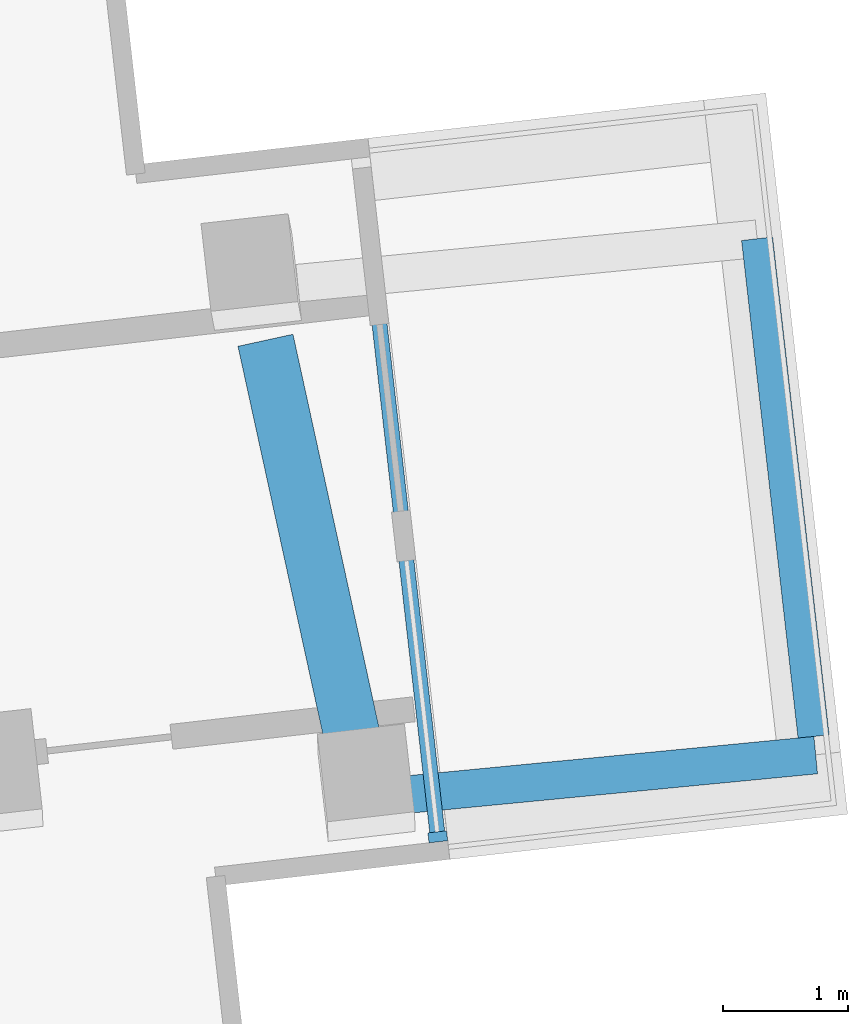
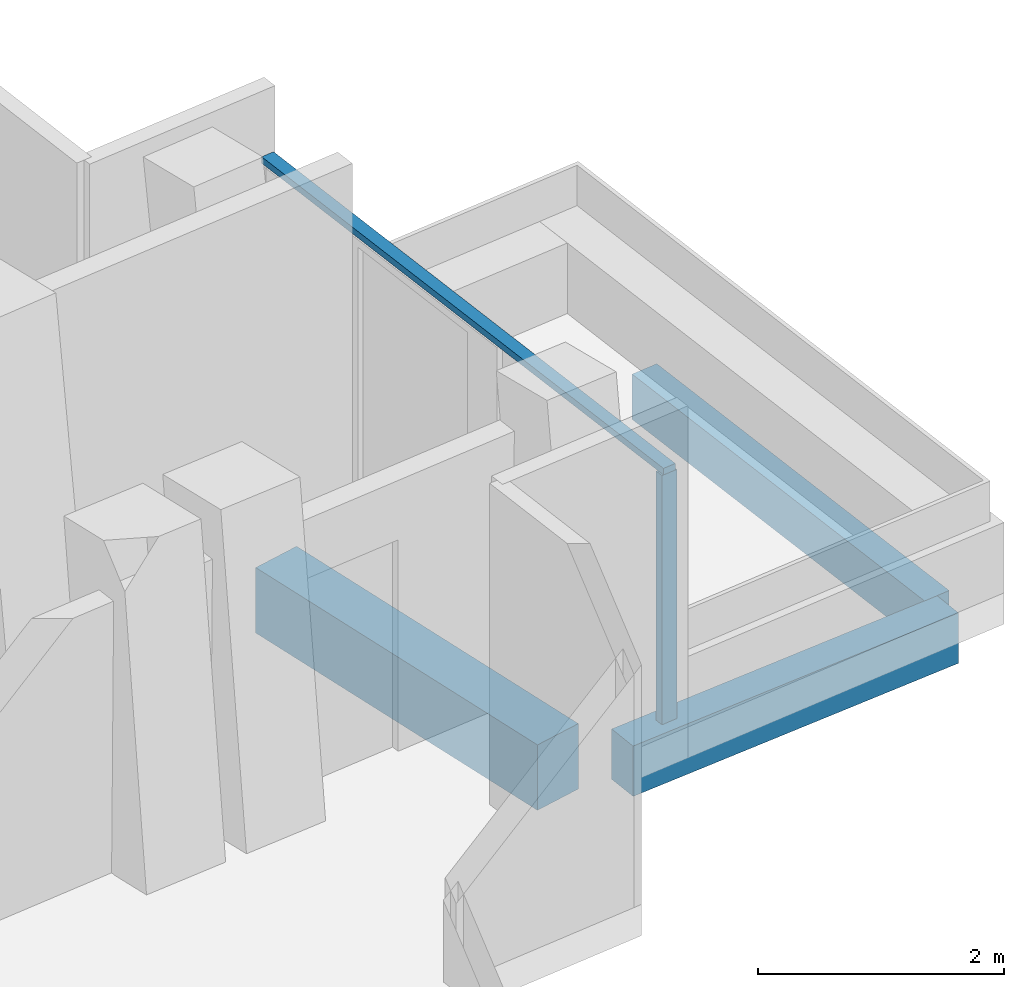
# One storey, part 6 of 23: 3 beams, 2 members, 1 element without a shape of its own.
"""IFC4 building model written with IfcOpenShell, lengths in metres."""

from ifc_helpers import new_model, si_unit, direction, frame, origin, origin_2d, place, context, subcontext, project, spatial, rectangle, extrude, material, layer, layer_set, material_profile, profile_set, type_object, element, aggregate, save


model = new_model("IFC4")

# Units and contexts
model_context = context("Model", 3, precision=1e-05, world=origin(), true_north=direction((0.0, 1.0)))
body_context = subcontext(model_context, "Body", "Model", "MODEL_VIEW")
ifc_project = project(units=[si_unit("LENGTHUNIT", "METRE"), si_unit("AREAUNIT", "SQUARE_METRE"), si_unit("VOLUMEUNIT", "CUBIC_METRE"), si_unit("PLANEANGLEUNIT", "RADIAN"), si_unit("MASSUNIT", "GRAM", prefix="KILO")], contexts=[model_context])

# Site, building, storey
site_placement = place(None, origin())
site = spatial("IfcSite", under=ifc_project, at=site_placement, CompositionType="ELEMENT")
building_placement = place(site_placement, origin())
building = spatial("IfcBuilding", under=site, at=building_placement, Name="Verdalira Terraces Hotel", CompositionType="ELEMENT")
storey_placement = place(building_placement, frame((0.0, 0.0, 183.5)))
storey = spatial("IfcBuildingStorey", under=building, at=storey_placement, Name="L44", CompositionType="ELEMENT", Elevation=183.5)

# Beams
ifc_material_1 = material(Name="Concrete C40", Category="concrete")
ifc_material_profile_1 = material_profile(ifc_material_1, rectangle(XDim=0.300049, YDim=0.5, at=origin_2d()), Name="RC 300X500")
ifc_profile_set_1 = profile_set([ifc_material_profile_1], Name="Concrete C40")
beam_type_1 = type_object("IfcBeamType", Name="Balcony cantilever beam RC 300X500 C40", PredefinedType="BEAM", material=ifc_profile_set_1)
beam_1_placement = place(storey_placement, frame((28.686768, 0.895508, -0.560059), z_axis=(0.995363694, 0.096182728, 0.0), x_axis=(-0.096182728, 0.995363694, 0.0)))
element("IfcBeam", 1, at=beam_1_placement, inside=storey, type_object=beam_type_1, Name="Balcony cantilever beam R33-1", PredefinedType="BEAM", context=body_context, shape_type="SweptSolid", body=[
    extrude(rectangle(XDim=0.300049, YDim=0.5, at=origin_2d()), origin(), (0.0, 0.0, 1.0), 3.25415),
])
ifc_material_2 = material(Name="Concrete C40", Category="concrete")
ifc_material_profile_2 = material_profile(ifc_material_2, rectangle(XDim=0.25, YDim=0.449951, at=origin_2d()), Name="RC 250X450")
ifc_profile_set_2 = profile_set([ifc_material_profile_2], Name="Concrete C40")
beam_type_2 = type_object("IfcBeamType", Name="Balcony edge beam RC 250X450 C40", PredefinedType="BEAM", material=ifc_profile_set_2)
beam_2_placement = place(storey_placement, frame((31.908936, 1.357422, -0.534912), z_axis=(-0.112820746, 0.993615358, 0.0), x_axis=(-0.993615358, -0.112820746, 0.0)))
element("IfcBeam", 2, at=beam_2_placement, inside=storey, type_object=beam_type_2, Name="Balcony edge beam R33-1", PredefinedType="BEAM", context=body_context, shape_type="SweptSolid", body=[
    extrude(rectangle(XDim=0.25, YDim=0.449951, at=origin_2d()), origin(), (0.0, 0.0, 1.0), 4.003418),
])

# Curtain wall, members
ifc_material_3 = material(Name="Clear glass", Category="glass")
ifc_layer = layer(ifc_material_3, 0.14990234375)
ifc_layer_set = layer_set([ifc_layer], Name="CW3 curtain wall")
curtain_wall_type = type_object("IfcCurtainWallType", Name="CW3 curtain wall", PredefinedType="NOTDEFINED", material=ifc_layer_set)
curtain_wall_placement = place(storey_placement, origin())
curtain_wall = element("IfcCurtainWall", 3, at=curtain_wall_placement, inside=storey, type_object=curtain_wall_type, Name="CW3 curtain wall L44 edge 33", PredefinedType="NOTDEFINED")
ifc_material_4 = material(Name="Terracotta frame", Category="masonry")
ifc_material_profile_3 = material_profile(ifc_material_4, rectangle(XDim=0.080078, YDim=0.149902, at=origin_2d()), Name="MU 80x150")
ifc_profile_set_3 = profile_set([ifc_material_profile_3], Name="Terracotta frame")
member_type_1 = type_object("IfcMemberType", Name="CW3 mullion 80x150", PredefinedType="MULLION", material=ifc_profile_set_3)
member_1_placement = place(storey_placement, frame((28.905273, 0.555664, 0.0), z_axis=(0.0, 0.0, 1.0), x_axis=(-0.112856385, 0.993611311, 0.0)))
member_1 = element("IfcMember", 4, at=member_1_placement, type_object=member_type_1, Name="CW3 mullion", PredefinedType="MULLION", context=body_context, shape_type="SweptSolid", body=[
    extrude(rectangle(XDim=0.080078, YDim=0.149902, at=origin_2d()), origin(), (0.0, 0.0, 1.0), 2.475098),
])
ifc_material_5 = material(Name="Terracotta frame", Category="masonry")
ifc_material_profile_4 = material_profile(ifc_material_5, rectangle(XDim=0.120117, YDim=0.064941, at=origin_2d()), Name="TR 65x120")
ifc_profile_set_4 = profile_set([ifc_material_profile_4], Name="Terracotta frame")
member_type_2 = type_object("IfcMemberType", Name="CW3 transom 65x120", PredefinedType="USERDEFINED", material=ifc_profile_set_4)
member_2_placement = place(storey_placement, frame((28.909912, 0.515869, 2.507568), z_axis=(-0.1128818, 0.993608423, 0.0), x_axis=(-0.993608423, -0.1128818, 0.0)))
member_2 = element("IfcMember", 5, at=member_2_placement, type_object=member_type_2, Name="CW3 transom", ObjectType="TRANSOM", PredefinedType="USERDEFINED", context=body_context, shape_type="SweptSolid", body=[
    extrude(rectangle(XDim=0.120117, YDim=0.064941, at=origin_2d()), origin(), (0.0, 0.0, 1.0), 5.5),
])
aggregate(curtain_wall, [member_1, member_2])

# Beam
ifc_material_6 = material(Name="Concrete C50", Category="concrete")
ifc_material_profile_5 = material_profile(ifc_material_6, rectangle(XDim=0.449951, YDim=0.649902, at=origin_2d()), Name="RC 450X650")
ifc_profile_set_5 = profile_set([ifc_material_profile_5], Name="Concrete C50")
beam_type_3 = type_object("IfcBeamType", Name="Spandrel beam RC 450X650 C50", PredefinedType="SPANDREL", material=ifc_profile_set_5)
beam_3_placement = place(storey_placement, frame((28.256104, 1.197754, -0.63501), z_axis=(-0.2137482, 0.976888789, 0.0), x_axis=(-0.976888789, -0.2137482, 0.0)))
element("IfcBeam", 6, at=beam_3_placement, inside=storey, type_object=beam_type_3, Name="Spandrel beam B17", PredefinedType="SPANDREL", context=body_context, shape_type="SweptSolid", body=[
    extrude(rectangle(XDim=0.449951, YDim=0.649902, at=origin_2d()), origin(), (0.0, 0.0, 1.0), 3.404785),
])

save(model, "model.ifc")
